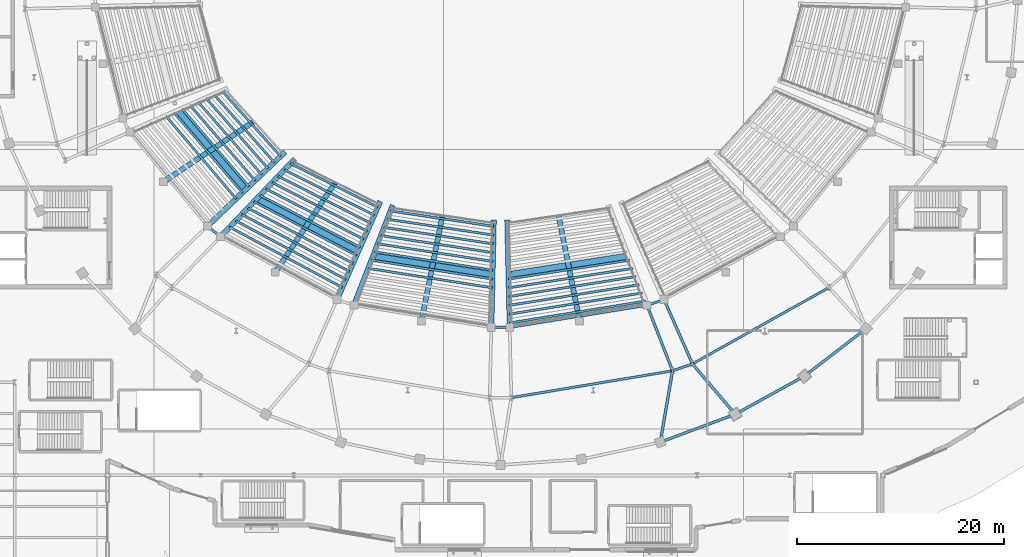
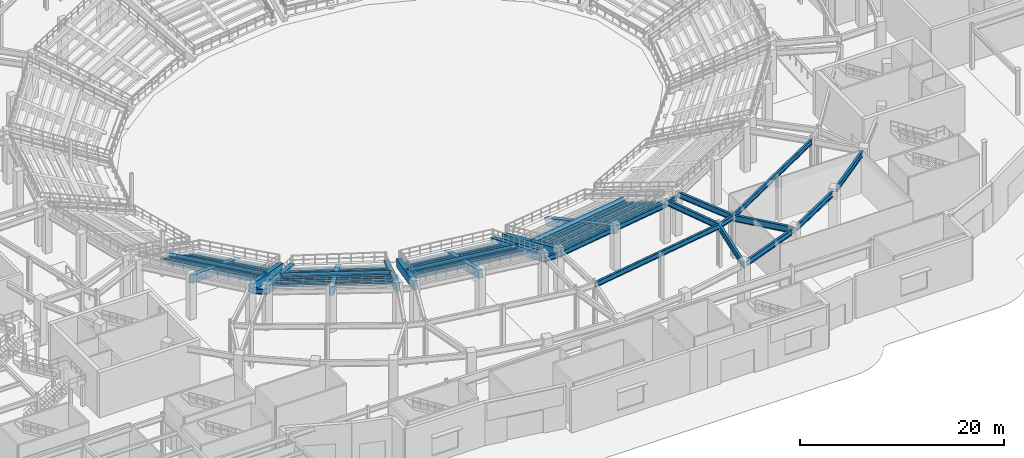
# One storey, part 32 of 79: 61 beams.
"""IFC4 building model written with IfcOpenShell, lengths in metres."""

from ifc_helpers import new_model, si_unit, direction, frame, origin, origin_2d, place, context, subcontext, project, spatial, rectangle, i_section, extrude, material, material_profile, profile_set, type_object, element, save


model = new_model("IFC4")

# Units and contexts
model_context = context("Model", 3, precision=1e-05, world=origin(), true_north=direction((0.0, 1.0)))
body_context = subcontext(model_context, "Body", "Model", "MODEL_VIEW")
ifc_project = project(units=[si_unit("LENGTHUNIT", "METRE"), si_unit("AREAUNIT", "SQUARE_METRE"), si_unit("VOLUMEUNIT", "CUBIC_METRE"), si_unit("PLANEANGLEUNIT", "RADIAN"), si_unit("MASSUNIT", "GRAM", prefix="KILO")], contexts=[model_context])

# Site, building, storey
site_placement = place(None, origin())
site = spatial("IfcSite", under=ifc_project, at=site_placement, CompositionType="ELEMENT")
building_placement = place(site_placement, origin())
building = spatial("IfcBuilding", under=site, at=building_placement, Name="Glasvene Arena", CompositionType="ELEMENT")
storey_placement = place(building_placement, origin())
storey = spatial("IfcBuildingStorey", under=building, at=storey_placement, Name="L00", CompositionType="ELEMENT", Elevation=0.0)

# Beams
ifc_material_1 = material(Name="Steel S355J2", Category="steel")
ifc_material_profile_1 = material_profile(ifc_material_1, i_section(OverallWidth=0.228271484375, OverallDepth=0.607666015625, WebThickness=0.010986328125, FlangeThickness=0.017333984375, FilletRadius=0.0126953125, at=origin_2d()), Name="UKB 610x229x113")
ifc_profile_set_1 = profile_set([ifc_material_profile_1], Name="Steel S355J2")
beam_type_1 = type_object("IfcBeamType", Name="BM-GIRD-610", PredefinedType="BEAM", material=ifc_profile_set_1)
beam_1_placement = place(storey_placement, frame((63.65966796875, 51.09912109375, 4.35009765625), z_axis=(0.77751541262, -0.628863882839, 0.0), x_axis=(0.628863882839, 0.77751541262, 0.0)))
element("IfcBeam", 1, at=beam_1_placement, inside=storey, type_object=beam_type_1, Name="Mid-bowl ring girder L00-20", PredefinedType="BEAM", context=body_context, shape_type="SweptSolid", body=[
    extrude(i_section(OverallWidth=0.228271484375, OverallDepth=0.607666015625, WebThickness=0.010986328125, FlangeThickness=0.017333984375, FilletRadius=0.0126953125, at=origin_2d()), origin(), (0.0, 0.0, 1.0), 1.61767578125),
])
beam_2_placement = place(storey_placement, frame((91.110595703125, 41.30810546875, 4.35009765625), z_axis=(1.0, 0.0, 0.0), x_axis=(0.0, 1.0, 0.0)))
element("IfcBeam", 2, at=beam_2_placement, inside=storey, type_object=beam_type_1, Name="Mid-bowl ring girder L00-24", PredefinedType="BEAM", context=body_context, shape_type="SweptSolid", body=[
    extrude(i_section(OverallWidth=0.228271484375, OverallDepth=0.607666015625, WebThickness=0.010986328125, FlangeThickness=0.017333984375, FilletRadius=0.0126953125, at=origin_2d()), origin(), (0.0, 0.0, 1.0), 1.77880859375),
])
beam_3_placement = place(storey_placement, frame((93.043701171875, 34.510009765625, 4.81494140625), z_axis=(0.986425216298, 0.164211122194, 0.0), x_axis=(-0.164211122194, 0.986425216298, 0.0)))
element("IfcBeam", 3, at=beam_3_placement, inside=storey, type_object=beam_type_1, Name="Concourse inner ring girder L00-25", PredefinedType="BEAM", context=body_context, shape_type="SweptSolid", body=[
    extrude(i_section(OverallWidth=0.228271484375, OverallDepth=0.607666015625, WebThickness=0.010986328125, FlangeThickness=0.017333984375, FilletRadius=0.0126953125, at=origin_2d()), origin(), (0.0, 0.0, 1.0), 15.8056640625),
])
beam_4_placement = place(storey_placement, frame((92.889404296875, 41.30810546875, 4.35009765625), z_axis=(0.987308283351, 0.15881547036, 0.0), x_axis=(-0.15881547036, 0.987308283351, 0.0)))
element("IfcBeam", 4, at=beam_4_placement, inside=storey, type_object=beam_type_1, Name="Mid-bowl ring girder L00-25", PredefinedType="BEAM", context=body_context, shape_type="SweptSolid", body=[
    extrude(i_section(OverallWidth=0.228271484375, OverallDepth=0.607666015625, WebThickness=0.010986328125, FlangeThickness=0.017333984375, FilletRadius=0.0126953125, at=origin_2d()), origin(), (0.0, 0.0, 1.0), 13.457275390625),
])
beam_5_placement = place(storey_placement, frame((108.634765625, 37.10546875, 4.81494140625), z_axis=(0.944798184006, 0.327652852114, 0.0), x_axis=(-0.327652852114, 0.944798184006, 0.0)))
element("IfcBeam", 5, at=beam_5_placement, inside=storey, type_object=beam_type_1, Name="Concourse inner ring girder L00-26", PredefinedType="BEAM", context=body_context, shape_type="SweptSolid", body=[
    extrude(i_section(OverallWidth=0.228271484375, OverallDepth=0.607666015625, WebThickness=0.010986328125, FlangeThickness=0.017333984375, FilletRadius=0.0126953125, at=origin_2d()), origin(), (0.0, 0.0, 1.0), 2.040771484375),
])
beam_6_placement = place(storey_placement, frame((106.17578125, 43.4453125, 4.35009765625), z_axis=(0.948203248213, 0.317664288326, 0.0), x_axis=(-0.317664288326, 0.948203248213, 0.0)))
element("IfcBeam", 6, at=beam_6_placement, inside=storey, type_object=beam_type_1, Name="Mid-bowl ring girder L00-26", PredefinedType="BEAM", context=body_context, shape_type="SweptSolid", body=[
    extrude(i_section(OverallWidth=0.228271484375, OverallDepth=0.607666015625, WebThickness=0.010986328125, FlangeThickness=0.017333984375, FilletRadius=0.0126953125, at=origin_2d()), origin(), (0.0, 0.0, 1.0), 1.733154296875),
])
beam_7_placement = place(storey_placement, frame((110.56298828125, 37.774169921875, 4.81494140625), z_axis=(0.87279341778, 0.488089796943, 0.0), x_axis=(-0.488089796943, 0.87279341778, 0.0)))
element("IfcBeam", 7, at=beam_7_placement, inside=storey, type_object=beam_type_1, Name="Concourse inner ring girder L00-27", PredefinedType="BEAM", context=body_context, shape_type="SweptSolid", body=[
    extrude(i_section(OverallWidth=0.228271484375, OverallDepth=0.607666015625, WebThickness=0.010986328125, FlangeThickness=0.017333984375, FilletRadius=0.0126953125, at=origin_2d()), origin(), (0.0, 0.0, 1.0), 15.14404296875),
])
ifc_material_profile_2 = material_profile(ifc_material_1, i_section(OverallWidth=0.253662109375, OverallDepth=0.68359375, WebThickness=0.012451171875, FlangeThickness=0.01904296875, FilletRadius=0.01513671875, at=origin_2d()), Name="UKB 686x254x140")
ifc_profile_set_2 = profile_set([ifc_material_profile_2], Name="Steel S355J2")
beam_type_2 = type_object("IfcBeamType", Name="BM-GIRD-686", PredefinedType="BEAM", material=ifc_profile_set_2)
beam_8_placement = place(storey_placement, frame((107.84423828125, 30.34912109375, 4.7783203125), z_axis=(0.937003971107, 0.349318705668, 0.0), x_axis=(-0.349318705668, 0.937003971107, 0.0)))
element("IfcBeam", 8, at=beam_8_placement, inside=storey, type_object=beam_type_2, Name="Bowl ring chord beam L00-33", PredefinedType="BEAM", context=body_context, shape_type="SweptSolid", body=[
    extrude(i_section(OverallWidth=0.253662109375, OverallDepth=0.68359375, WebThickness=0.012451171875, FlangeThickness=0.01904296875, FilletRadius=0.01513671875, at=origin_2d()), origin(), (0.0, 0.0, 1.0), 6.89599609375),
])
beam_9_placement = place(storey_placement, frame((115.0673828125, 33.107421875, 4.7783203125), z_axis=(0.875645230087, 0.482954895436, 0.0), x_axis=(-0.482954895436, 0.875645230087, 0.0)))
element("IfcBeam", 9, at=beam_9_placement, inside=storey, type_object=beam_type_2, Name="Bowl ring chord beam L00-34", PredefinedType="BEAM", context=body_context, shape_type="SweptSolid", body=[
    extrude(i_section(OverallWidth=0.253662109375, OverallDepth=0.68359375, WebThickness=0.012451171875, FlangeThickness=0.01904296875, FilletRadius=0.01513671875, at=origin_2d()), origin(), (0.0, 0.0, 1.0), 6.799560546875),
])
beam_10_placement = place(storey_placement, frame((121.722412109375, 36.85009765625, 4.7783203125), z_axis=(0.792808596744, 0.60947069571, 0.0), x_axis=(-0.60947069571, 0.792808596744, 0.0)))
element("IfcBeam", 10, at=beam_10_placement, inside=storey, type_object=beam_type_2, Name="Bowl ring chord beam L00-35", PredefinedType="BEAM", context=body_context, shape_type="SweptSolid", body=[
    extrude(i_section(OverallWidth=0.253662109375, OverallDepth=0.68359375, WebThickness=0.012451171875, FlangeThickness=0.01904296875, FilletRadius=0.01513671875, at=origin_2d()), origin(), (0.0, 0.0, 1.0), 6.684814453125),
])
beam_11_placement = place(storey_placement, frame((106.17578125, 43.4453125, 4.7783203125), z_axis=(0.361614477563, -0.932327715783, 0.0), x_axis=(0.932327715783, 0.361614477563, 0.0)))
element("IfcBeam", 11, at=beam_11_placement, inside=storey, type_object=beam_type_2, Name="Mid-to-rear radial girder L00-26", PredefinedType="BEAM", context=body_context, shape_type="SweptSolid", body=[
    extrude(i_section(OverallWidth=0.253662109375, OverallDepth=0.68359375, WebThickness=0.012451171875, FlangeThickness=0.01904296875, FilletRadius=0.01513671875, at=origin_2d()), origin(), (0.0, 0.0, 1.0), 6.800048828125),
])
beam_12_placement = place(storey_placement, frame((107.819091796875, 43.995849609375, 4.7783203125), z_axis=(0.403521754761, -0.914970050567, 0.0), x_axis=(0.914970050567, 0.403521754761, 0.0)))
element("IfcBeam", 12, at=beam_12_placement, inside=storey, type_object=beam_type_2, Name="Mid-to-rear radial girder L00-27", PredefinedType="BEAM", context=body_context, shape_type="SweptSolid", body=[
    extrude(i_section(OverallWidth=0.253662109375, OverallDepth=0.68359375, WebThickness=0.012451171875, FlangeThickness=0.01904296875, FilletRadius=0.01513671875, at=origin_2d()), origin(), (0.0, 0.0, 1.0), 6.7998046875),
])
ifc_material_profile_3 = material_profile(ifc_material_1, i_section(OverallWidth=0.2666015625, OverallDepth=0.76220703125, WebThickness=0.014404296875, FlangeThickness=0.021484375, FilletRadius=0.0166015625, at=origin_2d()), Name="UKB 762x267x173")
ifc_profile_set_3 = profile_set([ifc_material_profile_3], Name="Steel S355J2")
beam_type_3 = type_object("IfcBeamType", Name="BM-GIRD-762", PredefinedType="BEAM", material=ifc_profile_set_3)
beam_13_placement = place(storey_placement, frame((108.634765625, 37.10546875, 4.739013671875), z_axis=(-0.169060564867, -0.985605664253, 0.0), x_axis=(0.985605664253, -0.169060564867, 0.0)))
element("IfcBeam", 13, at=beam_13_placement, inside=storey, type_object=beam_type_3, Name="Radial concourse girder L00-26", PredefinedType="BEAM", context=body_context, shape_type="SweptSolid", body=[
    extrude(i_section(OverallWidth=0.2666015625, OverallDepth=0.76220703125, WebThickness=0.014404296875, FlangeThickness=0.021484375, FilletRadius=0.0166015625, at=origin_2d()), origin(), (0.0, 0.0, 1.0), 7.00390625),
])
beam_14_placement = place(storey_placement, frame((110.56298828125, 37.774169921875, 4.739013671875), z_axis=(0.647421006623, -0.762132560768, 0.0), x_axis=(0.762132560768, 0.647421006623, 0.0)))
element("IfcBeam", 14, at=beam_14_placement, inside=storey, type_object=beam_type_3, Name="Radial concourse girder L00-27", PredefinedType="BEAM", context=body_context, shape_type="SweptSolid", body=[
    extrude(i_section(OverallWidth=0.2666015625, OverallDepth=0.76220703125, WebThickness=0.014404296875, FlangeThickness=0.021484375, FilletRadius=0.0166015625, at=origin_2d()), origin(), (0.0, 0.0, 1.0), 6.38916015625),
])
ifc_material_2 = material(Name="Precast concrete C50/60", Category="concrete")
ifc_material_profile_4 = material_profile(ifc_material_2, rectangle(XDim=0.5, YDim=0.89990234375, at=origin_2d()), Name="RC 500x900")
ifc_profile_set_4 = profile_set([ifc_material_profile_4], Name="Precast concrete C50/60")
beam_type_4 = type_object("IfcBeamType", Name="BM-RAKER-LOW", PredefinedType="USERDEFINED", material=ifc_profile_set_4)
for number, where, z_axis, x_axis, name in (
    (15, (67.887451171875, 61.05517578125, 0.27001953125), (-0.763468535615, -0.51012920088, 0.396085841121), (0.555567096845, -0.831471707819, 0.0), "Lower bowl raker beam RKL-10-2"),
    (16, (71.033935546875, 58.14599609375, 0.2900390625), (-0.663843748108, -0.634371327442, 0.39608647669), (0.690875843477, -0.722973421987, 0.0), "Lower bowl raker beam RKL-10-3"),
):
    element("IfcBeam", number, at=place(storey_placement, frame(where, z_axis=z_axis, x_axis=x_axis)), inside=storey, type_object=beam_type_4, Name=name, ObjectType="RAKER BEAM", PredefinedType="USERDEFINED", context=body_context, shape_type="SweptSolid", body=[
        extrude(rectangle(XDim=0.5, YDim=0.89990234375, at=origin_2d()), origin(), (0.0, 0.0, 1.0), 11.1083984375),
    ])
beam_15_placement = place(storey_placement, frame((71.96435546875, 57.456298828125, 0.2900390625), z_axis=(-0.634362072065, -0.663856040355, 0.396080697851), x_axis=(0.722984846356, -0.690863888142, 0.0)))
element("IfcBeam", 17, at=beam_15_placement, inside=storey, type_object=beam_type_4, Name="Lower bowl raker beam RKL-11-1", ObjectType="RAKER BEAM", PredefinedType="USERDEFINED", context=body_context, shape_type="SweptSolid", body=[
    extrude(rectangle(XDim=0.5, YDim=0.89990234375, at=origin_2d()), origin(), (0.0, 0.0, 1.0), 11.108642578125),
])
for number, where, z_axis, x_axis, name in (
    (18, (75.888427734375, 55.123291015625, 0.27001953125), (-0.51012920088, -0.763468535615, 0.396085841121), (0.831471707819, -0.555567096845, 0.0), "Lower bowl raker beam RKL-11-2"),
    (19, (80.297119140625, 53.328369140625, 0.2900390625), (-0.370546840935, -0.840125951458, 0.396085122618), (0.914956794247, -0.40355181162, 0.0), "Lower bowl raker beam RKL-11-3"),
):
    element("IfcBeam", number, at=place(storey_placement, frame(where, z_axis=z_axis, x_axis=x_axis)), inside=storey, type_object=beam_type_4, Name=name, ObjectType="RAKER BEAM", PredefinedType="USERDEFINED", context=body_context, shape_type="SweptSolid", body=[
        extrude(rectangle(XDim=0.5, YDim=0.89990234375, at=origin_2d()), origin(), (0.0, 0.0, 1.0), 11.1083984375),
    ])
beam_16_placement = place(storey_placement, frame((81.512939453125, 52.955078125, 0.2900390625), z_axis=(-0.332059304254, -0.856070819995, 0.396080004055), x_axis=(0.932319645998, -0.361635282691, 0.0)))
element("IfcBeam", 20, at=beam_16_placement, inside=storey, type_object=beam_type_4, Name="Lower bowl raker beam RKL-12-1", ObjectType="RAKER BEAM", PredefinedType="USERDEFINED", context=body_context, shape_type="SweptSolid", body=[
    extrude(rectangle(XDim=0.5, YDim=0.89990234375, at=origin_2d()), origin(), (0.0, 0.0, 1.0), 11.108642578125),
])
beam_17_placement = place(storey_placement, frame((86.34228515625, 51.9130859375, 0.27001953125), z_axis=(-0.179120984677, -0.900571959279, 0.396088145503), x_axis=(0.980788180126, -0.195075743558, 0.0)))
element("IfcBeam", 21, at=beam_17_placement, inside=storey, type_object=beam_type_4, Name="Lower bowl raker beam RKL-12-2", ObjectType="RAKER BEAM", PredefinedType="USERDEFINED", context=body_context, shape_type="SweptSolid", body=[
    extrude(rectangle(XDim=0.5, YDim=0.89990234375, at=origin_2d()), origin(), (0.0, 0.0, 1.0), 11.1083984375),
])
for number, where, z_axis, x_axis, name in (
    (22, (91.342041015625, 51.505615234375, 0.2900390625), (-0.020834709204, -0.917979924827, 0.396079250287), (0.9997425394, -0.022690414598, 0.0), "Lower bowl raker beam RKL-12-3"),
    (23, (92.657958984375, 51.505615234375, 0.2900390625), (0.020834709204, -0.917979924827, 0.396079250287), (0.9997425394, 0.022690414598, 0.0), "Lower bowl raker beam RKL-13-1"),
):
    element("IfcBeam", number, at=place(storey_placement, frame(where, z_axis=z_axis, x_axis=x_axis)), inside=storey, type_object=beam_type_4, Name=name, ObjectType="RAKER BEAM", PredefinedType="USERDEFINED", context=body_context, shape_type="SweptSolid", body=[
        extrude(rectangle(XDim=0.5, YDim=0.89990234375, at=origin_2d()), origin(), (0.0, 0.0, 1.0), 11.108642578125),
    ])
beam_18_placement = place(storey_placement, frame((97.65771484375, 51.9130859375, 0.27001953125), z_axis=(0.179120984677, -0.900571959279, 0.396088145503), x_axis=(0.980788180126, 0.195075743558, 0.0)))
element("IfcBeam", 24, at=beam_18_placement, inside=storey, type_object=beam_type_4, Name="Lower bowl raker beam RKL-13-2", ObjectType="RAKER BEAM", PredefinedType="USERDEFINED", context=body_context, shape_type="SweptSolid", body=[
    extrude(rectangle(XDim=0.5, YDim=0.89990234375, at=origin_2d()), origin(), (0.0, 0.0, 1.0), 11.1083984375),
])
ifc_material_profile_5 = material_profile(ifc_material_2, rectangle(XDim=0.60009765625, YDim=1.10009765625, at=origin_2d()), Name="RC 600x1100")
ifc_profile_set_5 = profile_set([ifc_material_profile_5], Name="Precast concrete C50/60")
beam_type_5 = type_object("IfcBeamType", Name="BM-RAKER-MID", PredefinedType="USERDEFINED", material=ifc_profile_set_5)
beam_19_placement = place(storey_placement, frame((60.7998046875, 62.265625, 2.3798828125), z_axis=(0.650543606183, -0.759468904205, 0.0), x_axis=(0.759468904205, 0.650543606183, 0.0)))
element("IfcBeam", 25, at=beam_19_placement, inside=storey, type_object=beam_type_5, Name="Lower bowl tie raker beam RKM-10", ObjectType="RAKER BEAM", PredefinedType="USERDEFINED", context=body_context, shape_type="SweptSolid", body=[
    extrude(rectangle(XDim=0.60009765625, YDim=1.10009765625, at=origin_2d()), origin(), (0.0, 0.0, 1.0), 10.063720703125),
])
beam_20_placement = place(storey_placement, frame((68.44091796875, 53.76904296875, 2.3798828125), z_axis=(0.886774671414, -0.46220199279, 0.0), x_axis=(0.46220199279, 0.886774671414, 0.0)))
element("IfcBeam", 26, at=beam_20_placement, inside=storey, type_object=beam_type_5, Name="Lower bowl tie raker beam RKM-11", ObjectType="RAKER BEAM", PredefinedType="USERDEFINED", context=body_context, shape_type="SweptSolid", body=[
    extrude(rectangle(XDim=0.60009765625, YDim=1.10009765625, at=origin_2d()), origin(), (0.0, 0.0, 1.0), 11.049072265625),
])
for number, where, z_axis, x_axis, name in (
    (27, (79.668701171875, 48.2001953125, 2.3798828125), (0.988173467092, -0.153340141303, 0.0), (0.153340141303, 0.988173467092, 0.0), "Lower bowl tie raker beam RKM-12"),
    (28, (92.773681640625, 46.40673828125, 2.3798828125), (0.988173467092, 0.153340141303, 0.0), (-0.153340141303, 0.988173467092, 0.0), "Lower bowl tie raker beam RKM-13"),
):
    element("IfcBeam", number, at=place(storey_placement, frame(where, z_axis=z_axis, x_axis=x_axis)), inside=storey, type_object=beam_type_5, Name=name, ObjectType="RAKER BEAM", PredefinedType="USERDEFINED", context=body_context, shape_type="SweptSolid", body=[
        extrude(rectangle(XDim=0.60009765625, YDim=1.10009765625, at=origin_2d()), origin(), (0.0, 0.0, 1.0), 11.696044921875),
    ])
ifc_material_profile_6 = material_profile(ifc_material_2, rectangle(XDim=0.219970703125, YDim=0.219970703125, at=origin_2d()), Name="RC 220x220")
ifc_profile_set_6 = profile_set([ifc_material_profile_6], Name="Precast concrete C50/60")
beam_type_6 = type_object("IfcBeamType", Name="BM-TIER-BEARER", PredefinedType="BEAM", material=ifc_profile_set_6)
beam_21_placement = place(storey_placement, frame((65.081787109375, 64.154296875, 0.425048828125), z_axis=(0.667653134954, -0.744472492028, 0.0), x_axis=(0.744472492028, 0.667653134954, 0.0)))
element("IfcBeam", 29, at=beam_21_placement, inside=storey, type_object=beam_type_6, Name="Lower tier precast row bearer 10-R01", PredefinedType="BEAM", context=body_context, shape_type="SweptSolid", body=[
    extrude(rectangle(XDim=0.219970703125, YDim=0.219970703125, at=origin_2d()), origin(), (0.0, 0.0, 1.0), 8.460205078125),
])
beam_22_placement = place(storey_placement, frame((64.30419921875, 63.811279296875, 0.804931640625), z_axis=(0.664093661904, -0.747649388563, 0.0), x_axis=(0.747649388563, 0.664093661904, 0.0)))
element("IfcBeam", 30, at=beam_22_placement, inside=storey, type_object=beam_type_6, Name="Lower tier precast row bearer 10-R02", PredefinedType="BEAM", context=body_context, shape_type="SweptSolid", body=[
    extrude(rectangle(XDim=0.219970703125, YDim=0.219970703125, at=origin_2d()), origin(), (0.0, 0.0, 1.0), 8.7509765625),
])
beam_23_placement = place(storey_placement, frame((63.526611328125, 63.46826171875, 1.18505859375), z_axis=(0.660763009809, -0.750594594217, 0.0), x_axis=(0.750594594217, 0.660763009809, 0.0)))
element("IfcBeam", 31, at=beam_23_placement, inside=storey, type_object=beam_type_6, Name="Lower tier precast row bearer 10-R03", PredefinedType="BEAM", context=body_context, shape_type="SweptSolid", body=[
    extrude(rectangle(XDim=0.219970703125, YDim=0.219970703125, at=origin_2d()), origin(), (0.0, 0.0, 1.0), 9.0419921875),
])
beam_24_placement = place(storey_placement, frame((62.748779296875, 63.125244140625, 1.56494140625), z_axis=(0.657630080735, -0.753341009711, 0.0), x_axis=(0.753341009711, 0.657630080735, 0.0)))
element("IfcBeam", 32, at=beam_24_placement, inside=storey, type_object=beam_type_6, Name="Lower tier precast row bearer 10-R04", PredefinedType="BEAM", context=body_context, shape_type="SweptSolid", body=[
    extrude(rectangle(XDim=0.219970703125, YDim=0.219970703125, at=origin_2d()), origin(), (0.0, 0.0, 1.0), 9.33349609375),
])
beam_25_placement = place(storey_placement, frame((61.970947265625, 62.7822265625, 1.945068359375), z_axis=(0.654689080051, -0.755898279176, 0.0), x_axis=(0.755898279176, 0.654689080051, 0.0)))
element("IfcBeam", 33, at=beam_25_placement, inside=storey, type_object=beam_type_6, Name="Lower tier precast row bearer 10-R05", PredefinedType="BEAM", context=body_context, shape_type="SweptSolid", body=[
    extrude(rectangle(XDim=0.219970703125, YDim=0.219970703125, at=origin_2d()), origin(), (0.0, 0.0, 1.0), 9.624755859375),
])
beam_26_placement = place(storey_placement, frame((61.193359375, 62.439208984375, 2.324951171875), z_axis=(0.651897728646, -0.758306897889, 0.0), x_axis=(0.758306897889, 0.651897728646, 0.0)))
element("IfcBeam", 34, at=beam_26_placement, inside=storey, type_object=beam_type_6, Name="Lower tier precast row bearer 10-R06", PredefinedType="BEAM", context=body_context, shape_type="SweptSolid", body=[
    extrude(rectangle(XDim=0.219970703125, YDim=0.219970703125, at=origin_2d()), origin(), (0.0, 0.0, 1.0), 9.916259765625),
])
beam_27_placement = place(storey_placement, frame((60.41552734375, 62.09619140625, 2.705078125), z_axis=(0.649271490682, -0.760556724635, 0.0), x_axis=(0.760556724635, 0.649271490682, 0.0)))
element("IfcBeam", 35, at=beam_27_placement, inside=storey, type_object=beam_type_6, Name="Lower tier precast row bearer 10-R07", PredefinedType="BEAM", context=body_context, shape_type="SweptSolid", body=[
    extrude(rectangle(XDim=0.219970703125, YDim=0.219970703125, at=origin_2d()), origin(), (0.0, 0.0, 1.0), 10.207763671875),
])
beam_28_placement = place(storey_placement, frame((59.637939453125, 61.753173828125, 3.0849609375), z_axis=(0.646759064812, -0.762694376591, 0.0), x_axis=(0.762694376591, 0.646759064812, 0.0)))
element("IfcBeam", 36, at=beam_28_placement, inside=storey, type_object=beam_type_6, Name="Lower tier precast row bearer 10-R08", PredefinedType="BEAM", context=body_context, shape_type="SweptSolid", body=[
    extrude(rectangle(XDim=0.219970703125, YDim=0.219970703125, at=origin_2d()), origin(), (0.0, 0.0, 1.0), 10.499755859375),
])
beam_29_placement = place(storey_placement, frame((71.67431640625, 57.152587890625, 0.425048828125), z_axis=(0.895196314229, -0.445672030749, 0.0), x_axis=(0.445672030749, 0.895196314229, 0.0)))
element("IfcBeam", 37, at=beam_29_placement, inside=storey, type_object=beam_type_6, Name="Lower tier precast row bearer 11-R01", PredefinedType="BEAM", context=body_context, shape_type="SweptSolid", body=[
    extrude(rectangle(XDim=0.219970703125, YDim=0.219970703125, at=origin_2d()), origin(), (0.0, 0.0, 1.0), 9.443115234375),
])
beam_30_placement = place(storey_placement, frame((71.0869140625, 56.5380859375, 0.804931640625), z_axis=(0.893492276807, -0.449078558034, 0.0), x_axis=(0.449078558034, 0.893492276807, 0.0)))
element("IfcBeam", 38, at=beam_30_placement, inside=storey, type_object=beam_type_6, Name="Lower tier precast row bearer 11-R02", PredefinedType="BEAM", context=body_context, shape_type="SweptSolid", body=[
    extrude(rectangle(XDim=0.219970703125, YDim=0.219970703125, at=origin_2d()), origin(), (0.0, 0.0, 1.0), 9.734619140625),
])
beam_31_placement = place(storey_placement, frame((70.499755859375, 55.923583984375, 1.18505859375), z_axis=(0.891860698472, -0.452310175125, 0.0), x_axis=(0.452310175125, 0.891860698472, 0.0)))
element("IfcBeam", 39, at=beam_31_placement, inside=storey, type_object=beam_type_6, Name="Lower tier precast row bearer 11-R03", PredefinedType="BEAM", context=body_context, shape_type="SweptSolid", body=[
    extrude(rectangle(XDim=0.219970703125, YDim=0.219970703125, at=origin_2d()), origin(), (0.0, 0.0, 1.0), 10.026123046875),
])
beam_32_placement = place(storey_placement, frame((69.91259765625, 55.30908203125, 1.56494140625), z_axis=(0.890310631504, -0.455353686086, 0.0), x_axis=(0.455353686086, 0.890310631504, 0.0)))
element("IfcBeam", 40, at=beam_32_placement, inside=storey, type_object=beam_type_6, Name="Lower tier precast row bearer 11-R04", PredefinedType="BEAM", context=body_context, shape_type="SweptSolid", body=[
    extrude(rectangle(XDim=0.219970703125, YDim=0.219970703125, at=origin_2d()), origin(), (0.0, 0.0, 1.0), 10.31787109375),
])
beam_33_placement = place(storey_placement, frame((69.3251953125, 54.694580078125, 1.945068359375), z_axis=(0.888850467497, -0.458197388065, 0.0), x_axis=(0.458197388065, 0.888850467497, 0.0)))
element("IfcBeam", 41, at=beam_33_placement, inside=storey, type_object=beam_type_6, Name="Lower tier precast row bearer 11-R05", PredefinedType="BEAM", context=body_context, shape_type="SweptSolid", body=[
    extrude(rectangle(XDim=0.219970703125, YDim=0.219970703125, at=origin_2d()), origin(), (0.0, 0.0, 1.0), 10.609619140625),
])
beam_34_placement = place(storey_placement, frame((68.738037109375, 54.079833984375, 2.324951171875), z_axis=(0.887455386192, -0.460893629289, 0.0), x_axis=(0.460893629289, 0.887455386192, 0.0)))
element("IfcBeam", 42, at=beam_34_placement, inside=storey, type_object=beam_type_6, Name="Lower tier precast row bearer 11-R06", PredefinedType="BEAM", context=body_context, shape_type="SweptSolid", body=[
    extrude(rectangle(XDim=0.219970703125, YDim=0.219970703125, at=origin_2d()), origin(), (0.0, 0.0, 1.0), 10.9013671875),
])
beam_35_placement = place(storey_placement, frame((68.150634765625, 53.46533203125, 2.705078125), z_axis=(0.886130183156, -0.463436401785, 0.0), x_axis=(0.463436401785, 0.886130183156, 0.0)))
element("IfcBeam", 43, at=beam_35_placement, inside=storey, type_object=beam_type_6, Name="Lower tier precast row bearer 11-R07", PredefinedType="BEAM", context=body_context, shape_type="SweptSolid", body=[
    extrude(rectangle(XDim=0.219970703125, YDim=0.219970703125, at=origin_2d()), origin(), (0.0, 0.0, 1.0), 11.193603515625),
])
beam_36_placement = place(storey_placement, frame((67.5634765625, 52.850830078125, 3.0849609375), z_axis=(0.884852277857, -0.465871705914, 0.0), x_axis=(0.465871705914, 0.884852277857, 0.0)))
element("IfcBeam", 44, at=beam_36_placement, inside=storey, type_object=beam_type_6, Name="Lower tier precast row bearer 11-R08", PredefinedType="BEAM", context=body_context, shape_type="SweptSolid", body=[
    extrude(rectangle(XDim=0.219970703125, YDim=0.219970703125, at=origin_2d()), origin(), (0.0, 0.0, 1.0), 11.485595703125),
])
beam_37_placement = place(storey_placement, frame((66.976318359375, 52.236328125, 3.465087890625), z_axis=(0.883640135424, -0.46816675562, 0.0), x_axis=(0.46816675562, 0.883640135424, 0.0)))
element("IfcBeam", 45, at=beam_37_placement, inside=storey, type_object=beam_type_6, Name="Lower tier precast row bearer 11-R09", PredefinedType="BEAM", context=body_context, shape_type="SweptSolid", body=[
    extrude(rectangle(XDim=0.219970703125, YDim=0.219970703125, at=origin_2d()), origin(), (0.0, 0.0, 1.0), 11.777587890625),
])
beam_38_placement = place(storey_placement, frame((66.388916015625, 51.621826171875, 3.844970703125), z_axis=(0.882477211034, -0.470355155181, 0.0), x_axis=(0.470355155181, 0.882477211034, 0.0)))
element("IfcBeam", 46, at=beam_38_placement, inside=storey, type_object=beam_type_6, Name="Lower tier precast row bearer 11-R10", PredefinedType="BEAM", context=body_context, shape_type="SweptSolid", body=[
    extrude(rectangle(XDim=0.219970703125, YDim=0.219970703125, at=origin_2d()), origin(), (0.0, 0.0, 1.0), 12.070068359375),
])
beam_39_placement = place(storey_placement, frame((65.8017578125, 51.00732421875, 4.22509765625), z_axis=(0.881368087767, -0.472430199994, 0.0), x_axis=(0.472430199994, 0.881368087767, 0.0)))
element("IfcBeam", 47, at=beam_39_placement, inside=storey, type_object=beam_type_6, Name="Lower tier precast row bearer 11-R11", PredefinedType="BEAM", context=body_context, shape_type="SweptSolid", body=[
    extrude(rectangle(XDim=0.219970703125, YDim=0.219970703125, at=origin_2d()), origin(), (0.0, 0.0, 1.0), 12.3623046875),
])
beam_40_placement = place(storey_placement, frame((81.361083984375, 52.5634765625, 0.425048828125), z_axis=(0.989195788791, -0.146600448291, 0.0), x_axis=(0.146600448291, 0.989195788791, 0.0)))
element("IfcBeam", 48, at=beam_40_placement, inside=storey, type_object=beam_type_6, Name="Lower tier precast row bearer 12-R01", PredefinedType="BEAM", context=body_context, shape_type="SweptSolid", body=[
    extrude(rectangle(XDim=0.219970703125, YDim=0.219970703125, at=origin_2d()), origin(), (0.0, 0.0, 1.0), 10.080322265625),
])
beam_41_placement = place(storey_placement, frame((81.0537109375, 51.77099609375, 0.804931640625), z_axis=(0.988989629928, -0.147984836708, 0.0), x_axis=(0.147984836708, 0.988989629928, 0.0)))
element("IfcBeam", 49, at=beam_41_placement, inside=storey, type_object=beam_type_6, Name="Lower tier precast row bearer 12-R02", PredefinedType="BEAM", context=body_context, shape_type="SweptSolid", body=[
    extrude(rectangle(XDim=0.219970703125, YDim=0.219970703125, at=origin_2d()), origin(), (0.0, 0.0, 1.0), 10.373779296875),
])
beam_42_placement = place(storey_placement, frame((80.74609375, 50.978515625, 1.18505859375), z_axis=(0.988793541595, -0.149289423938, 0.0), x_axis=(0.149289423938, 0.988793541595, 0.0)))
element("IfcBeam", 50, at=beam_42_placement, inside=storey, type_object=beam_type_6, Name="Lower tier precast row bearer 12-R03", PredefinedType="BEAM", context=body_context, shape_type="SweptSolid", body=[
    extrude(rectangle(XDim=0.219970703125, YDim=0.219970703125, at=origin_2d()), origin(), (0.0, 0.0, 1.0), 10.66748046875),
])
beam_43_placement = place(storey_placement, frame((80.43896484375, 50.18603515625, 1.56494140625), z_axis=(0.988608680389, -0.150508727517, 0.0), x_axis=(0.150508727517, 0.988608680389, 0.0)))
element("IfcBeam", 51, at=beam_43_placement, inside=storey, type_object=beam_type_6, Name="Lower tier precast row bearer 12-R04", PredefinedType="BEAM", context=body_context, shape_type="SweptSolid", body=[
    extrude(rectangle(XDim=0.219970703125, YDim=0.219970703125, at=origin_2d()), origin(), (0.0, 0.0, 1.0), 10.96044921875),
])
beam_44_placement = place(storey_placement, frame((80.131591796875, 49.3935546875, 1.945068359375), z_axis=(0.988429309162, -0.151682236237, 0.0), x_axis=(0.151682236237, 0.988429309162, 0.0)))
element("IfcBeam", 52, at=beam_44_placement, inside=storey, type_object=beam_type_6, Name="Lower tier precast row bearer 12-R05", PredefinedType="BEAM", context=body_context, shape_type="SweptSolid", body=[
    extrude(rectangle(XDim=0.219970703125, YDim=0.219970703125, at=origin_2d()), origin(), (0.0, 0.0, 1.0), 11.25390625),
])
beam_45_placement = place(storey_placement, frame((79.82421875, 48.60107421875, 2.324951171875), z_axis=(0.988257766045, -0.1527959026, 0.0), x_axis=(0.1527959026, 0.988257766045, 0.0)))
element("IfcBeam", 53, at=beam_45_placement, inside=storey, type_object=beam_type_6, Name="Lower tier precast row bearer 12-R06", PredefinedType="BEAM", context=body_context, shape_type="SweptSolid", body=[
    extrude(rectangle(XDim=0.219970703125, YDim=0.219970703125, at=origin_2d()), origin(), (0.0, 0.0, 1.0), 11.54736328125),
])
beam_46_placement = place(storey_placement, frame((79.5166015625, 47.80859375, 2.705078125), z_axis=(0.988097185241, -0.153830921857, 0.0), x_axis=(0.153830921857, 0.988097185241, 0.0)))
element("IfcBeam", 54, at=beam_46_placement, inside=storey, type_object=beam_type_6, Name="Lower tier precast row bearer 12-R07", PredefinedType="BEAM", context=body_context, shape_type="SweptSolid", body=[
    extrude(rectangle(XDim=0.219970703125, YDim=0.219970703125, at=origin_2d()), origin(), (0.0, 0.0, 1.0), 11.841064453125),
])
beam_47_placement = place(storey_placement, frame((79.209228515625, 47.01611328125, 3.0849609375), z_axis=(0.98793981089, -0.154838399817, 0.0), x_axis=(0.154838399817, 0.98793981089, 0.0)))
element("IfcBeam", 55, at=beam_47_placement, inside=storey, type_object=beam_type_6, Name="Lower tier precast row bearer 12-R08", PredefinedType="BEAM", context=body_context, shape_type="SweptSolid", body=[
    extrude(rectangle(XDim=0.219970703125, YDim=0.219970703125, at=origin_2d()), origin(), (0.0, 0.0, 1.0), 12.134521484375),
])
beam_48_placement = place(storey_placement, frame((92.783203125, 45.987060546875, 2.705078125), z_axis=(0.988097185241, 0.153830921857, 0.0), x_axis=(-0.153830921857, 0.988097185241, 0.0)))
element("IfcBeam", 56, at=beam_48_placement, inside=storey, type_object=beam_type_6, Name="Lower tier precast row bearer 13-R07", PredefinedType="BEAM", context=body_context, shape_type="SweptSolid", body=[
    extrude(rectangle(XDim=0.219970703125, YDim=0.219970703125, at=origin_2d()), origin(), (0.0, 0.0, 1.0), 11.841064453125),
])
beam_49_placement = place(storey_placement, frame((92.802490234375, 45.13720703125, 3.0849609375), z_axis=(0.98793981089, 0.154838399817, 0.0), x_axis=(-0.154838399817, 0.98793981089, 0.0)))
element("IfcBeam", 57, at=beam_49_placement, inside=storey, type_object=beam_type_6, Name="Lower tier precast row bearer 13-R08", PredefinedType="BEAM", context=body_context, shape_type="SweptSolid", body=[
    extrude(rectangle(XDim=0.219970703125, YDim=0.219970703125, at=origin_2d()), origin(), (0.0, 0.0, 1.0), 12.134521484375),
])
beam_50_placement = place(storey_placement, frame((92.82177734375, 44.287353515625, 3.465087890625), z_axis=(0.987788437003, 0.155801167271, 0.0), x_axis=(-0.155801167271, 0.987788437003, 0.0)))
element("IfcBeam", 58, at=beam_50_placement, inside=storey, type_object=beam_type_6, Name="Lower tier precast row bearer 13-R09", PredefinedType="BEAM", context=body_context, shape_type="SweptSolid", body=[
    extrude(rectangle(XDim=0.219970703125, YDim=0.219970703125, at=origin_2d()), origin(), (0.0, 0.0, 1.0), 12.427978515625),
])
beam_51_placement = place(storey_placement, frame((92.841064453125, 43.4375, 3.844970703125), z_axis=(0.987644110805, 0.156713465895, 0.0), x_axis=(-0.156713465895, 0.987644110805, 0.0)))
element("IfcBeam", 59, at=beam_51_placement, inside=storey, type_object=beam_type_6, Name="Lower tier precast row bearer 13-R10", PredefinedType="BEAM", context=body_context, shape_type="SweptSolid", body=[
    extrude(rectangle(XDim=0.219970703125, YDim=0.219970703125, at=origin_2d()), origin(), (0.0, 0.0, 1.0), 12.7216796875),
])
beam_52_placement = place(storey_placement, frame((92.8603515625, 42.587890625, 4.22509765625), z_axis=(0.987507966255, 0.15756908511, 0.0), x_axis=(-0.15756908511, 0.987507966255, 0.0)))
element("IfcBeam", 60, at=beam_52_placement, inside=storey, type_object=beam_type_6, Name="Lower tier precast row bearer 13-R11", PredefinedType="BEAM", context=body_context, shape_type="SweptSolid", body=[
    extrude(rectangle(XDim=0.219970703125, YDim=0.219970703125, at=origin_2d()), origin(), (0.0, 0.0, 1.0), 13.01513671875),
])
beam_53_placement = place(storey_placement, frame((92.879638671875, 41.738037109375, 4.60498046875), z_axis=(0.987374264433, 0.158404740885, 0.0), x_axis=(-0.158404740885, 0.987374264433, 0.0)))
element("IfcBeam", 61, at=beam_53_placement, inside=storey, type_object=beam_type_6, Name="Lower tier precast row bearer 13-R12", PredefinedType="BEAM", context=body_context, shape_type="SweptSolid", body=[
    extrude(rectangle(XDim=0.219970703125, YDim=0.219970703125, at=origin_2d()), origin(), (0.0, 0.0, 1.0), 13.30859375),
])

save(model, "model.ifc")
